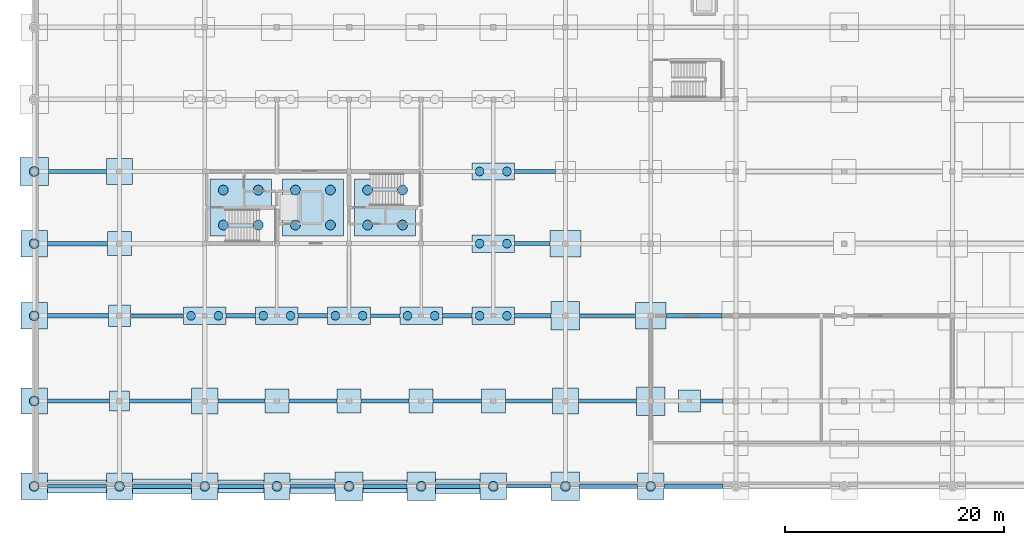
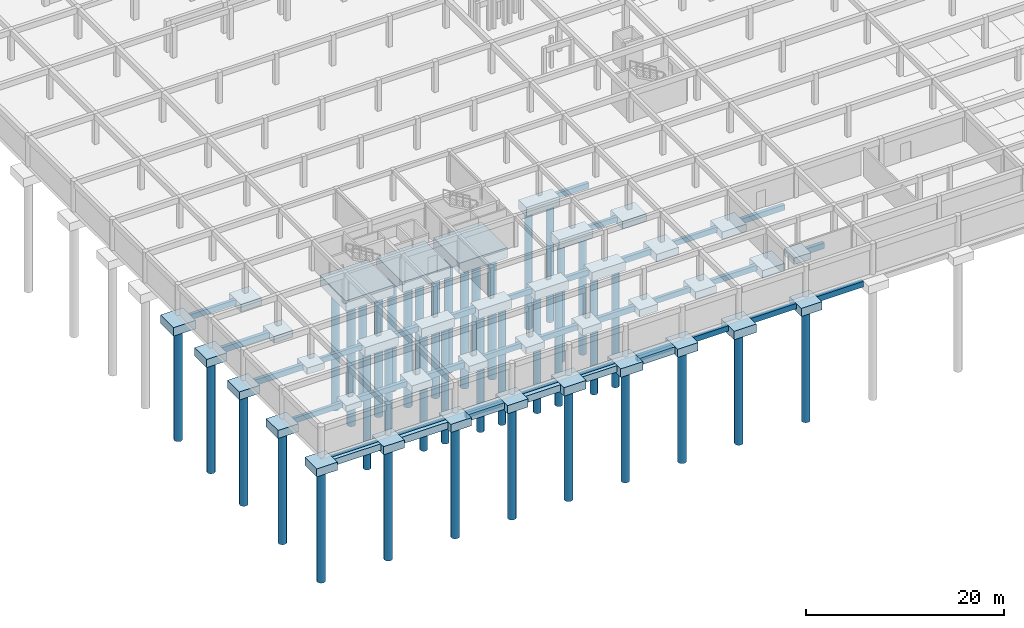
# One storey, part 1 of 37: 75 footings, 39 piles.
"""IFC4 building model written with IfcOpenShell, lengths in metres."""

import ifcopenshell
import ifcopenshell.guid

model = None  # the IFC model being written
_history = None  # IfcOwnerHistory: only IFC2X3 demands one
_inside = {}  # id of a spatial element -> (the spatial element, [elements in it])
_under = {}  # id of a project, library or spatial element -> (it, [spatial elements below it])
_declared = {}  # id of a project -> (the project, [libraries it declares])
_typed = {}  # id of a type object -> (the type object, [elements of that type])
_made_of = {}  # id of a material, layer set ... -> (it, [elements and type objects made of it])


def new_model(schema):
    """Start an empty IFC model of exactly this schema.

    Asked for "IFC4X3", IfcOpenShell would pick the latest addendum, in which some entities
    have other attributes; the version numbers below select the first issue.
    IFC2X3 requires an IfcOwnerHistory on every rooted entity: one is made here for all.
    """
    global model, _history
    if schema == "IFC4X3":
        model = ifcopenshell.file(schema_version=(4, 3, 0, 0))
    else:
        model = ifcopenshell.file(schema=schema)
    _inside.clear()
    _under.clear()
    _declared.clear()
    _typed.clear()
    _made_of.clear()
    _history = None
    if model.schema == "IFC2X3":
        org = make("IfcOrganization", Name="unknown")
        user = make(
            "IfcPersonAndOrganization",
            ThePerson=make("IfcPerson", FamilyName="unknown"),
            TheOrganization=org,
        )
        app = make(
            "IfcApplication",
            ApplicationDeveloper=org,
            Version="unknown",
            ApplicationFullName="unknown",
            ApplicationIdentifier="unknown",
        )
        _history = make(
            "IfcOwnerHistory",
            OwningUser=user,
            OwningApplication=app,
            ChangeAction="ADDED",
            CreationDate=0,
        )
    return model


def make(cls, **values):
    """One entity of the class cls with the attributes given. An attribute that is None is left unset."""
    return model.create_entity(
        cls, **{name: value for name, value in values.items() if value is not None}
    )


def rooted(cls, **values):
    """An entity with a GlobalId (a new one), such as an element, a storey or a relation."""
    return make(cls, GlobalId=ifcopenshell.guid.new(), OwnerHistory=_history, **values)


def si_unit(unit_type, name, prefix=None):
    """IfcSIUnit, for example si_unit("LENGTHUNIT", "METRE", prefix="MILLI")."""
    return make("IfcSIUnit", UnitType=unit_type, Prefix=prefix, Name=name)


def assignment(units):
    """IfcUnitAssignment: the units of a project."""
    return None if units is None else make("IfcUnitAssignment", Units=units)


def point(xyz):
    """IfcCartesianPoint."""
    return None if xyz is None else make("IfcCartesianPoint", Coordinates=xyz)


def direction(xyz):
    """IfcDirection."""
    return None if xyz is None else make("IfcDirection", DirectionRatios=xyz)


def frame(location, z_axis=None, x_axis=None):
    """IfcAxis2Placement3D, a coordinate frame: its origin and axes. An axis left out is left unset."""
    return make(
        "IfcAxis2Placement3D",
        Location=point(location),
        Axis=direction(z_axis),
        RefDirection=direction(x_axis),
    )


def frame_2d(location, x_axis=None):
    """IfcAxis2Placement2D, a coordinate frame in the plane: its origin and x axis."""
    return make(
        "IfcAxis2Placement2D", Location=point(location), RefDirection=direction(x_axis)
    )


def origin():
    """The frame at (0, 0, 0) with its axes left unset."""
    return frame((0.0, 0.0, 0.0))


def origin_2d():
    """The frame at (0, 0) in the plane with its x axis left unset."""
    return frame_2d((0.0, 0.0))


def place(relative_to, where):
    """IfcLocalPlacement: puts the frame where relative to a parent placement (None: the world)."""
    return make(
        "IfcLocalPlacement", PlacementRelTo=relative_to, RelativePlacement=where
    )


def context(
    kind, dimensions, precision=None, world=None, true_north=None, identifier=None
):
    """IfcGeometricRepresentationContext, for example the 3D "Model" context."""
    return make(
        "IfcGeometricRepresentationContext",
        ContextIdentifier=identifier,
        ContextType=kind,
        CoordinateSpaceDimension=dimensions,
        Precision=precision,
        WorldCoordinateSystem=world,
        TrueNorth=true_north,
    )


def subcontext(parent, identifier, kind, view, scale=None):
    """IfcGeometricRepresentationSubContext, for example "Body" below "Model"."""
    return make(
        "IfcGeometricRepresentationSubContext",
        ContextIdentifier=identifier,
        ContextType=kind,
        ParentContext=parent,
        TargetScale=scale,
        TargetView=view,
    )


def project(units=None, contexts=None):
    """IfcProject with its units and contexts."""
    return rooted(
        "IfcProject",
        Name="project",
        RepresentationContexts=contexts,
        UnitsInContext=assignment(units),
    )


def spatial(cls, under=None, at=None, **own):
    """A site, building, storey or space (cls), placed at a placement, below another one or the project."""
    s = rooted(cls, ObjectPlacement=at, **own)
    if under is not None:
        _under.setdefault(under.id(), (under, []))[1].append(s)
    return s


def profile(cls, at=None, kind="AREA", **sizes):
    """A parametric profile (cls). Its sizes go by their IFC names, for example OverallWidth=200.0."""
    return make(cls, ProfileType=kind, Position=at, **sizes)


def rectangle(**sizes):
    """IfcRectangleProfileDef."""
    return profile("IfcRectangleProfileDef", **sizes)


def circle(**sizes):
    """IfcCircleProfileDef."""
    return profile("IfcCircleProfileDef", **sizes)


def extrude(swept, where, along, depth):
    """IfcExtrudedAreaSolid: the profile swept, set in the frame where, extruded along a direction by depth."""
    return make(
        "IfcExtrudedAreaSolid",
        SweptArea=swept,
        Position=where,
        ExtrudedDirection=direction(along),
        Depth=depth,
    )


def shape(context_of_items, identifier, shape_type, items):
    """IfcShapeRepresentation: the items that make up one representation, for example the "Body"."""
    return make(
        "IfcShapeRepresentation",
        ContextOfItems=context_of_items,
        RepresentationIdentifier=identifier,
        RepresentationType=shape_type,
        Items=items,
    )


def material(Name=None, Category=None):
    """IfcMaterial."""
    return make("IfcMaterial", Name=Name, Category=Category)


def material_profile(
    of_material, cross_section, Name=None, Category=None, Priority=None
):
    """IfcMaterialProfile: a cross section and its material."""
    return make(
        "IfcMaterialProfile",
        Name=Name,
        Material=of_material,
        Profile=cross_section,
        Priority=Priority,
        Category=Category,
    )


def profile_set(profiles, Name=None, composite=None):
    """IfcMaterialProfileSet."""
    return make(
        "IfcMaterialProfileSet",
        Name=Name,
        MaterialProfiles=profiles,
        CompositeProfile=composite,
    )


def made_of(thing, what):
    """Note that an element or type object is made of a material, layer set ...; save() writes the relation."""
    if what is not None:
        _made_of.setdefault(what.id(), (what, []))[1].append(thing)
    return thing


def type_object(cls, material=None, **own):
    """A type object (cls), such as IfcWallType, which elements share."""
    return made_of(rooted(cls, **own), material)


def element(
    cls,
    number,
    at=None,
    inside=None,
    cuts=None,
    type_object=None,
    material=None,
    context=None,
    identifier="Body",
    shape_type=None,
    held_by="IfcProductDefinitionShape",
    body=None,
    shapes=None,
    **own,
):
    """One element of the class cls, such as IfcWall. Its Tag is "e" and its number.

    at: its placement. inside: the storey or other place that contains it. cuts: it is an
    opening in that element (IfcRelVoidsElement). A single representation is given by context,
    identifier, shape_type and body (its items); several are given by shapes. held_by: the class
    of the entity that holds the representations. save() writes the other relations.
    """
    e = rooted(cls, Tag="e%d" % number, ObjectPlacement=at, **own)
    if body is not None:
        shapes = [shape(context, identifier, shape_type, body)]
    if shapes is not None:
        e.Representation = make(held_by, Representations=shapes)
    if inside is not None:
        _inside.setdefault(inside.id(), (inside, []))[1].append(e)
    if cuts is not None:
        rooted(
            "IfcRelVoidsElement", RelatingBuildingElement=cuts, RelatedOpeningElement=e
        )
    if type_object is not None:
        _typed.setdefault(type_object.id(), (type_object, []))[1].append(e)
    return made_of(e, material)


def aggregate(whole, parts):
    """IfcRelAggregates: a whole, such as a stair, and the parts it consists of."""
    return rooted("IfcRelAggregates", RelatingObject=whole, RelatedObjects=parts)


def save(model, path):
    """Write the relations noted so far, then the file.

    IfcRelAggregates (storeys below a building ...), IfcRelContainedInSpatialStructure (elements
    in a storey), IfcRelDefinesByType, IfcRelAssociatesMaterial and IfcRelDeclares: one each for
    every whole, place, type object, material and project.
    """
    for whole, parts in _under.values():
        aggregate(whole, parts)
    for where, things in _inside.values():
        rooted(
            "IfcRelContainedInSpatialStructure",
            RelatedElements=things,
            RelatingStructure=where,
        )
    for kind, things in _typed.values():
        rooted("IfcRelDefinesByType", RelatedObjects=things, RelatingType=kind)
    for what, things in _made_of.values():
        rooted("IfcRelAssociatesMaterial", RelatedObjects=things, RelatingMaterial=what)
    for by, libraries in _declared.values():
        rooted("IfcRelDeclares", RelatingContext=by, RelatedDefinitions=libraries)
    model.write(path)


model = new_model("IFC4")

# Units and contexts
model_context = context("Model", 3, precision=1e-05, world=origin(), true_north=direction((0.0, 1.0)))
body_context = subcontext(model_context, "Body", "Model", "MODEL_VIEW")
ifc_project = project(units=[si_unit("LENGTHUNIT", "METRE"), si_unit("AREAUNIT", "SQUARE_METRE"), si_unit("VOLUMEUNIT", "CUBIC_METRE"), si_unit("PLANEANGLEUNIT", "RADIAN"), si_unit("MASSUNIT", "GRAM", prefix="KILO")], contexts=[model_context])

# Site, building, storey
site_placement = place(None, origin())
site = spatial("IfcSite", under=ifc_project, at=site_placement, CompositionType="ELEMENT")
building_placement = place(site_placement, origin())
building = spatial("IfcBuilding", under=site, at=building_placement, Name="Kernevlak Ridge Housing Community", CompositionType="ELEMENT")
storey_placement = place(building_placement, frame((0.0, 0.0, -3.800048828125)))
storey = spatial("IfcBuildingStorey", under=building, at=storey_placement, Name="B1", CompositionType="ELEMENT", Elevation=-3.800048828125)

# Piles
ifc_material = material(Name="Concrete C35/45", Category="concrete")
ifc_material_profile_1 = material_profile(ifc_material, circle(Radius=0.39990234375, at=origin_2d()), Name="BORED PILE 800")
ifc_profile_set_1 = profile_set([ifc_material_profile_1], Name="Concrete C35/45")
pile_type_1 = type_object("IfcPileType", Name="BP-01", PredefinedType="BORED", material=ifc_profile_set_1)
for number, where, z_axis, x_axis, name in (
    (1, (14.35009765625, 15.60009765625, -1.449951171875), (0.0, 0.0, -1.0), (1.0, 0.0, 0.0), "Bored pile BP-01 PILE-0069"),
    (2, (16.85009765625, 15.60009765625, -1.449951171875), (0.0, 0.0, -1.0), (1.0, 0.0, 0.0), "Bored pile BP-01 PILE-0070"),
    (3, (20.949951171875, 15.60009765625, -1.449951171875), (0.0, 0.0, -1.0), (1.0, 0.0, 0.0), "Bored pile BP-01 PILE-0083"),
    (4, (23.449951171875, 15.60009765625, -1.449951171875), (0.0, 0.0, -1.0), (1.0, 0.0, 0.0), "Bored pile BP-01 PILE-0084"),
    (5, (27.550048828125, 15.60009765625, -1.449951171875), (0.0, 0.0, -1.0), (1.0, 0.0, 0.0), "Bored pile BP-01 PILE-0097"),
    (6, (30.050048828125, 15.60009765625, -1.449951171875), (0.0, 0.0, -1.0), (1.0, 0.0, 0.0), "Bored pile BP-01 PILE-0098"),
    (7, (34.14990234375, 15.60009765625, -1.449951171875), (0.0, 0.0, -1.0), (1.0, 0.0, 0.0), "Bored pile BP-01 PILE-0111"),
    (8, (36.64990234375, 15.60009765625, -1.449951171875), (0.0, 0.0, -1.0), (1.0, 0.0, 0.0), "Bored pile BP-01 PILE-0112"),
    (9, (40.75, 15.60009765625, -1.449951171875), (0.0, 0.0, -1.0), (1.0, 0.0, 0.0), "Bored pile BP-01 PILE-0125"),
    (10, (43.25, 15.60009765625, -1.449951171875), (0.0, 0.0, -1.0), (1.0, 0.0, 0.0), "Bored pile BP-01 PILE-0126"),
    (11, (40.75, 22.199951171875, -1.449951171875), (0.0, 0.0, -1.0), (1.0, 0.0, 0.0), "Bored pile BP-01 PILE-0127"),
    (12, (43.25, 22.199951171875, -1.449951171875), (0.0, 0.0, -1.0), (1.0, 0.0, 0.0), "Bored pile BP-01 PILE-0128"),
    (13, (40.75, 28.800048828125, -1.449951171875), (0.0, 0.0, -1.0), (1.0, 0.0, 0.0), "Bored pile BP-01 PILE-0129"),
    (14, (43.25, 28.800048828125, -1.449951171875), (0.0, 0.0, -1.0), (1.0, 0.0, 0.0), "Bored pile BP-01 PILE-0130"),
):
    element("IfcPile", number, at=place(storey_placement, frame(where, z_axis=z_axis, x_axis=x_axis)), inside=storey, type_object=pile_type_1, Name=name, PredefinedType="BORED", context=body_context, shape_type="SweptSolid", body=[
        extrude(circle(Radius=0.39990234375, at=origin_2d()), origin(), (0.0, 0.0, 1.0), 14.5),
    ])
ifc_material_profile_2 = material_profile(ifc_material, circle(Radius=0.449951171875, at=origin_2d()), Name="BORED PILE 900")
ifc_profile_set_2 = profile_set([ifc_material_profile_2], Name="Concrete C35/45")
pile_type_2 = type_object("IfcPileType", Name="BP-02", PredefinedType="BORED", material=ifc_profile_set_2)
for number, where, z_axis, x_axis, name in (
    (15, (17.300048828125, 23.89990234375, -1.64990234375), (0.0, 0.0, -1.0), (1.0, 0.0, 0.0), "Bored pile BP-02 PILE-0037"),
    (16, (20.5, 23.89990234375, -1.64990234375), (0.0, 0.0, -1.0), (1.0, 0.0, 0.0), "Bored pile BP-02 PILE-0038"),
    (17, (17.300048828125, 27.10009765625, -1.64990234375), (0.0, 0.0, -1.0), (1.0, 0.0, 0.0), "Bored pile BP-02 PILE-0039"),
    (18, (20.5, 27.10009765625, -1.64990234375), (0.0, 0.0, -1.0), (1.0, 0.0, 0.0), "Bored pile BP-02 PILE-0040"),
    (19, (23.89990234375, 23.89990234375, -1.64990234375), (0.0, 0.0, -1.0), (1.0, 0.0, 0.0), "Bored pile BP-02 PILE-0041"),
    (20, (27.10009765625, 23.89990234375, -1.64990234375), (0.0, 0.0, -1.0), (1.0, 0.0, 0.0), "Bored pile BP-02 PILE-0042"),
    (21, (23.89990234375, 27.10009765625, -1.64990234375), (0.0, 0.0, -1.0), (1.0, 0.0, 0.0), "Bored pile BP-02 PILE-0043"),
    (22, (27.10009765625, 27.10009765625, -1.64990234375), (0.0, 0.0, -1.0), (1.0, 0.0, 0.0), "Bored pile BP-02 PILE-0044"),
    (23, (30.5, 23.89990234375, -1.64990234375), (0.0, 0.0, -1.0), (1.0, 0.0, 0.0), "Bored pile BP-02 PILE-0045"),
    (24, (33.699951171875, 23.89990234375, -1.64990234375), (0.0, 0.0, -1.0), (1.0, 0.0, 0.0), "Bored pile BP-02 PILE-0046"),
    (25, (30.5, 27.10009765625, -1.64990234375), (0.0, 0.0, -1.0), (1.0, 0.0, 0.0), "Bored pile BP-02 PILE-0047"),
    (26, (33.699951171875, 27.10009765625, -1.64990234375), (0.0, 0.0, -1.0), (1.0, 0.0, 0.0), "Bored pile BP-02 PILE-0048"),
):
    element("IfcPile", number, at=place(storey_placement, frame(where, z_axis=z_axis, x_axis=x_axis)), inside=storey, type_object=pile_type_2, Name=name, PredefinedType="BORED", context=body_context, shape_type="SweptSolid", body=[
        extrude(circle(Radius=0.449951171875, at=origin_2d()), origin(), (0.0, 0.0, 1.0), 15.0),
    ])
for number, where, z_axis, x_axis, name in (
    (27, (0.0, 0.0, -1.349853515625), (0.0, 0.0, -1.0), (1.0, 0.0, 0.0), "Bored pile BP-02 PILE-0049"),
    (28, (0.0, 7.800048828125, -1.349853515625), (0.0, 0.0, -1.0), (1.0, 0.0, 0.0), "Bored pile BP-02 PILE-0050"),
    (29, (0.0, 15.60009765625, -1.349853515625), (0.0, 0.0, -1.0), (1.0, 0.0, 0.0), "Bored pile BP-02 PILE-0051"),
    (30, (0.0, 22.199951171875, -1.349853515625), (0.0, 0.0, -1.0), (1.0, 0.0, 0.0), "Bored pile BP-02 PILE-0052"),
    (31, (0.0, 28.800048828125, -1.39990234375), (0.0, 0.0, -1.0), (1.0, 0.0, 0.0), "Bored pile BP-02 PILE-0053"),
    (32, (7.800048828125, 0.0, -1.349853515625), (0.0, 0.0, -1.0), (1.0, 0.0, 0.0), "Bored pile BP-02 PILE-0066"),
    (33, (15.60009765625, 0.0, -1.349853515625), (0.0, 0.0, -1.0), (1.0, 0.0, 0.0), "Bored pile BP-02 PILE-0068"),
    (34, (22.199951171875, 0.0, -1.349853515625), (0.0, 0.0, -1.0), (1.0, 0.0, 0.0), "Bored pile BP-02 PILE-0082"),
    (35, (28.800048828125, 0.0, -1.39990234375), (0.0, 0.0, -1.0), (1.0, 0.0, 0.0), "Bored pile BP-02 PILE-0096"),
    (36, (35.39990234375, 0.0, -1.39990234375), (0.0, 0.0, -1.0), (1.0, 0.0, 0.0), "Bored pile BP-02 PILE-0110"),
    (37, (42.0, 0.0, -1.349853515625), (0.0, 0.0, -1.0), (1.0, 0.0, 0.0), "Bored pile BP-02 PILE-0124"),
    (38, (48.60009765625, 0.0, -1.39990234375), (0.0, 0.0, -1.0), (1.0, 0.0, 0.0), "Bored pile BP-02 PILE-0150"),
    (39, (56.39990234375, 0.0, -1.349853515625), (0.0, 0.0, -1.0), (1.0, 0.0, 0.0), "Bored pile BP-02 PILE-0168"),
):
    element("IfcPile", number, at=place(storey_placement, frame(where, z_axis=z_axis, x_axis=x_axis)), inside=storey, type_object=pile_type_2, Name=name, PredefinedType="BORED", context=body_context, shape_type="SweptSolid", body=[
        extrude(circle(Radius=0.449951171875, at=origin_2d()), origin(), (0.0, 0.0, 1.0), 14.0),
    ])

# Footings
ifc_material_profile_3 = material_profile(ifc_material, rectangle(XDim=0.39990234375, YDim=0.699951171875, at=origin_2d()), Name="RC 400x700")
ifc_profile_set_3 = profile_set([ifc_material_profile_3], Name="Concrete C35/45")
footing_type_1 = type_object("IfcFootingType", Name="FB-01", PredefinedType="FOOTING_BEAM", material=ifc_profile_set_3)
footing_1_placement = place(storey_placement, frame((16.800048828125, 0.0, -0.800048828125), z_axis=(1.0, 0.0, 0.0), x_axis=(0.0, 1.0, 0.0)))
element("IfcFooting", 40, at=footing_1_placement, inside=storey, type_object=footing_type_1, Name="Ground tie beam FB-01 3", PredefinedType="FOOTING_BEAM", context=body_context, shape_type="SweptSolid", body=[
    extrude(rectangle(XDim=0.39990234375, YDim=0.699951171875, at=origin_2d()), origin(), (0.0, 0.0, 1.0), 4.199951171875),
])
footing_2_placement = place(storey_placement, frame((36.699951171875, 0.0, -0.800048828125), z_axis=(1.0, 0.0, 0.0), x_axis=(0.0, 1.0, 0.0)))
element("IfcFooting", 41, at=footing_2_placement, inside=storey, type_object=footing_type_1, Name="Ground tie beam FB-01 6", PredefinedType="FOOTING_BEAM", context=body_context, shape_type="SweptSolid", body=[
    extrude(rectangle(XDim=0.39990234375, YDim=0.699951171875, at=origin_2d()), origin(), (0.0, 0.0, 1.0), 4.10009765625),
])
footing_3_placement = place(storey_placement, frame((57.60009765625, 0.0, -0.800048828125), z_axis=(1.0, 0.0, 0.0), x_axis=(0.0, 1.0, 0.0)))
element("IfcFooting", 42, at=footing_3_placement, inside=storey, type_object=footing_type_1, Name="Ground tie beam FB-01 9", PredefinedType="FOOTING_BEAM", context=body_context, shape_type="SweptSolid", body=[
    extrude(rectangle(XDim=0.39990234375, YDim=0.699951171875, at=origin_2d()), origin(), (0.0, 0.0, 1.0), 5.39990234375),
])
footing_4_placement = place(storey_placement, frame((16.800048828125, 7.800048828125, -0.800048828125), z_axis=(1.0, 0.0, 0.0), x_axis=(0.0, 1.0, 0.0)))
element("IfcFooting", 43, at=footing_4_placement, inside=storey, type_object=footing_type_1, Name="Ground tie beam FB-01 24", PredefinedType="FOOTING_BEAM", context=body_context, shape_type="SweptSolid", body=[
    extrude(rectangle(XDim=0.39990234375, YDim=0.699951171875, at=origin_2d()), origin(), (0.0, 0.0, 1.0), 4.300048828125),
])
footing_5_placement = place(storey_placement, frame((36.5, 7.800048828125, -0.800048828125), z_axis=(1.0, 0.0, 0.0), x_axis=(0.0, 1.0, 0.0)))
element("IfcFooting", 44, at=footing_5_placement, inside=storey, type_object=footing_type_1, Name="Ground tie beam FB-01 27", PredefinedType="FOOTING_BEAM", context=body_context, shape_type="SweptSolid", body=[
    extrude(rectangle(XDim=0.39990234375, YDim=0.699951171875, at=origin_2d()), origin(), (0.0, 0.0, 1.0), 4.39990234375),
])
footing_6_placement = place(storey_placement, frame((60.949951171875, 7.800048828125, -0.800048828125), z_axis=(1.0, 0.0, 0.0), x_axis=(0.0, 1.0, 0.0)))
element("IfcFooting", 45, at=footing_6_placement, inside=storey, type_object=footing_type_1, Name="Ground tie beam FB-01 30", PredefinedType="FOOTING_BEAM", context=body_context, shape_type="SweptSolid", body=[
    extrude(rectangle(XDim=0.39990234375, YDim=0.699951171875, at=origin_2d()), origin(), (0.0, 0.0, 1.0), 2.050048828125),
])
footing_7_placement = place(storey_placement, frame((1.199951171875, 15.60009765625, -0.800048828125), z_axis=(1.0, 0.0, 0.0), x_axis=(0.0, 1.0, 0.0)))
element("IfcFooting", 46, at=footing_7_placement, inside=storey, type_object=footing_type_1, Name="Ground tie beam FB-01 42", PredefinedType="FOOTING_BEAM", context=body_context, shape_type="SweptSolid", body=[
    extrude(rectangle(XDim=0.39990234375, YDim=0.699951171875, at=origin_2d()), origin(), (0.0, 0.0, 1.0), 5.60009765625),
])
footing_8_placement = place(storey_placement, frame((24.14990234375, 15.60009765625, -0.800048828125), z_axis=(1.0, 0.0, 0.0), x_axis=(0.0, 1.0, 0.0)))
element("IfcFooting", 47, at=footing_8_placement, inside=storey, type_object=footing_type_1, Name="Ground tie beam FB-01 45", PredefinedType="FOOTING_BEAM", context=body_context, shape_type="SweptSolid", body=[
    extrude(rectangle(XDim=0.39990234375, YDim=0.699951171875, at=origin_2d()), origin(), (0.0, 0.0, 1.0), 2.7001953125),
])
footing_9_placement = place(storey_placement, frame((43.949951171875, 15.60009765625, -0.800048828125), z_axis=(1.0, 0.0, 0.0), x_axis=(0.0, 1.0, 0.0)))
element("IfcFooting", 48, at=footing_9_placement, inside=storey, type_object=footing_type_1, Name="Ground tie beam FB-01 48", PredefinedType="FOOTING_BEAM", context=body_context, shape_type="SweptSolid", body=[
    extrude(rectangle(XDim=0.39990234375, YDim=0.699951171875, at=origin_2d()), origin(), (0.0, 0.0, 1.0), 3.35009765625),
])
footing_10_placement = place(storey_placement, frame((1.199951171875, 22.199951171875, -0.800048828125), z_axis=(1.0, 0.0, 0.0), x_axis=(0.0, 1.0, 0.0)))
element("IfcFooting", 49, at=footing_10_placement, inside=storey, type_object=footing_type_1, Name="Ground tie beam FB-01 60", PredefinedType="FOOTING_BEAM", context=body_context, shape_type="SweptSolid", body=[
    extrude(rectangle(XDim=0.39990234375, YDim=0.699951171875, at=origin_2d()), origin(), (0.0, 0.0, 1.0), 5.5),
])
ifc_material_profile_4 = material_profile(ifc_material, rectangle(XDim=0.35009765625, YDim=0.64990234375, at=origin_2d()), Name="RC 350x650")
ifc_profile_set_4 = profile_set([ifc_material_profile_4], Name="Concrete C35/45")
footing_type_2 = type_object("IfcFootingType", Name="FB-02", PredefinedType="FOOTING_BEAM", material=ifc_profile_set_4)
footing_11_placement = place(storey_placement, frame((1.199951171875, 0.0, -0.77490234375), z_axis=(1.0, 0.0, 0.0), x_axis=(0.0, 1.0, 0.0)))
element("IfcFooting", 50, at=footing_11_placement, inside=storey, type_object=footing_type_2, Name="Ground tie beam FB-02 1", PredefinedType="FOOTING_BEAM", context=body_context, shape_type="SweptSolid", body=[
    extrude(rectangle(XDim=0.35009765625, YDim=0.64990234375, at=origin_2d()), origin(), (0.0, 0.0, 1.0), 5.400146484375),
])
for number, where, z_axis, x_axis, name in (
    (51, (23.39990234375, 0.0, -0.77490234375), (1.0, 0.0, 0.0), (0.0, 1.0, 0.0), "Ground tie beam FB-02 4"),
    (52, (43.199951171875, 0.0, -0.77490234375), (1.0, 0.0, 0.0), (0.0, 1.0, 0.0), "Ground tie beam FB-02 7"),
):
    element("IfcFooting", number, at=place(storey_placement, frame(where, z_axis=z_axis, x_axis=x_axis)), inside=storey, type_object=footing_type_2, Name=name, PredefinedType="FOOTING_BEAM", context=body_context, shape_type="SweptSolid", body=[
        extrude(rectangle(XDim=0.35009765625, YDim=0.64990234375, at=origin_2d()), origin(), (0.0, 0.0, 1.0), 4.10009765625),
    ])
footing_12_placement = place(storey_placement, frame((1.199951171875, 7.800048828125, -0.77490234375), z_axis=(1.0, 0.0, 0.0), x_axis=(0.0, 1.0, 0.0)))
element("IfcFooting", 53, at=footing_12_placement, inside=storey, type_object=footing_type_2, Name="Ground tie beam FB-02 22", PredefinedType="FOOTING_BEAM", context=body_context, shape_type="SweptSolid", body=[
    extrude(rectangle(XDim=0.35009765625, YDim=0.64990234375, at=origin_2d()), origin(), (0.0, 0.0, 1.0), 5.699951171875),
])
footing_13_placement = place(storey_placement, frame((23.300048828125, 7.800048828125, -0.77490234375), z_axis=(1.0, 0.0, 0.0), x_axis=(0.0, 1.0, 0.0)))
element("IfcFooting", 54, at=footing_13_placement, inside=storey, type_object=footing_type_2, Name="Ground tie beam FB-02 25", PredefinedType="FOOTING_BEAM", context=body_context, shape_type="SweptSolid", body=[
    extrude(rectangle(XDim=0.35009765625, YDim=0.64990234375, at=origin_2d()), origin(), (0.0, 0.0, 1.0), 4.39990234375),
])
footing_14_placement = place(storey_placement, frame((43.10009765625, 7.800048828125, -0.77490234375), z_axis=(1.0, 0.0, 0.0), x_axis=(0.0, 1.0, 0.0)))
element("IfcFooting", 55, at=footing_14_placement, inside=storey, type_object=footing_type_2, Name="Ground tie beam FB-02 28", PredefinedType="FOOTING_BEAM", context=body_context, shape_type="SweptSolid", body=[
    extrude(rectangle(XDim=0.35009765625, YDim=0.64990234375, at=origin_2d()), origin(), (0.0, 0.0, 1.0), 4.2998046875),
])
footing_15_placement = place(storey_placement, frame((8.800048828125, 15.60009765625, -0.77490234375), z_axis=(1.0, 0.0, 0.0), x_axis=(0.0, 1.0, 0.0)))
element("IfcFooting", 56, at=footing_15_placement, inside=storey, type_object=footing_type_2, Name="Ground tie beam FB-02 43", PredefinedType="FOOTING_BEAM", context=body_context, shape_type="SweptSolid", body=[
    extrude(rectangle(XDim=0.35009765625, YDim=0.64990234375, at=origin_2d()), origin(), (0.0, 0.0, 1.0), 4.849853515625),
])
footing_16_placement = place(storey_placement, frame((30.75, 15.60009765625, -0.77490234375), z_axis=(1.0, 0.0, 0.0), x_axis=(0.0, 1.0, 0.0)))
element("IfcFooting", 57, at=footing_16_placement, inside=storey, type_object=footing_type_2, Name="Ground tie beam FB-02 46", PredefinedType="FOOTING_BEAM", context=body_context, shape_type="SweptSolid", body=[
    extrude(rectangle(XDim=0.35009765625, YDim=0.64990234375, at=origin_2d()), origin(), (0.0, 0.0, 1.0), 2.699951171875),
])
footing_17_placement = place(storey_placement, frame((49.89990234375, 15.60009765625, -0.77490234375), z_axis=(1.0, 0.0, 0.0), x_axis=(0.0, 1.0, 0.0)))
element("IfcFooting", 58, at=footing_17_placement, inside=storey, type_object=footing_type_2, Name="Ground tie beam FB-02 49", PredefinedType="FOOTING_BEAM", context=body_context, shape_type="SweptSolid", body=[
    extrude(rectangle(XDim=0.35009765625, YDim=0.64990234375, at=origin_2d()), origin(), (0.0, 0.0, 1.0), 5.10009765625),
])
footing_18_placement = place(storey_placement, frame((43.949951171875, 22.199951171875, -0.77490234375), z_axis=(1.0, 0.0, 0.0), x_axis=(0.0, 1.0, 0.0)))
element("IfcFooting", 59, at=footing_18_placement, inside=storey, type_object=footing_type_2, Name="Ground tie beam FB-02 61", PredefinedType="FOOTING_BEAM", context=body_context, shape_type="SweptSolid", body=[
    extrude(rectangle(XDim=0.35009765625, YDim=0.64990234375, at=origin_2d()), origin(), (0.0, 0.0, 1.0), 3.25),
])
footing_19_placement = place(storey_placement, frame((1.300048828125, 28.800048828125, -0.77490234375), z_axis=(1.0, 0.0, 0.0), x_axis=(0.0, 1.0, 0.0)))
element("IfcFooting", 60, at=footing_19_placement, inside=storey, type_object=footing_type_2, Name="Ground tie beam FB-02 73", PredefinedType="FOOTING_BEAM", context=body_context, shape_type="SweptSolid", body=[
    extrude(rectangle(XDim=0.35009765625, YDim=0.64990234375, at=origin_2d()), origin(), (0.0, 0.0, 1.0), 5.300048828125),
])
ifc_material_profile_5 = material_profile(ifc_material, rectangle(XDim=0.39990234375, YDim=0.64990234375, at=origin_2d()), Name="RC 400x650")
ifc_profile_set_5 = profile_set([ifc_material_profile_5], Name="Concrete C35/45")
footing_type_3 = type_object("IfcFootingType", Name="FB-03", PredefinedType="FOOTING_BEAM", material=ifc_profile_set_5)
footing_20_placement = place(storey_placement, frame((9.0, 0.0, -0.77490234375), z_axis=(1.0, 0.0, 0.0), x_axis=(0.0, 1.0, 0.0)))
element("IfcFooting", 61, at=footing_20_placement, inside=storey, type_object=footing_type_3, Name="Ground tie beam FB-03 2", PredefinedType="FOOTING_BEAM", context=body_context, shape_type="SweptSolid", body=[
    extrude(rectangle(XDim=0.39990234375, YDim=0.64990234375, at=origin_2d()), origin(), (0.0, 0.0, 1.0), 5.39990234375),
])
footing_21_placement = place(storey_placement, frame((30.10009765625, 0.0, -0.77490234375), z_axis=(1.0, 0.0, 0.0), x_axis=(0.0, 1.0, 0.0)))
element("IfcFooting", 62, at=footing_21_placement, inside=storey, type_object=footing_type_3, Name="Ground tie beam FB-03 5", PredefinedType="FOOTING_BEAM", context=body_context, shape_type="SweptSolid", body=[
    extrude(rectangle(XDim=0.39990234375, YDim=0.64990234375, at=origin_2d()), origin(), (0.0, 0.0, 1.0), 4.0),
])
footing_22_placement = place(storey_placement, frame((49.89990234375, 0.0, -0.77490234375), z_axis=(1.0, 0.0, 0.0), x_axis=(0.0, 1.0, 0.0)))
element("IfcFooting", 63, at=footing_22_placement, inside=storey, type_object=footing_type_3, Name="Ground tie beam FB-03 8", PredefinedType="FOOTING_BEAM", context=body_context, shape_type="SweptSolid", body=[
    extrude(rectangle(XDim=0.39990234375, YDim=0.64990234375, at=origin_2d()), origin(), (0.0, 0.0, 1.0), 5.300048828125),
])
footing_23_placement = place(storey_placement, frame((8.699951171875, 7.800048828125, -0.77490234375), z_axis=(1.0, 0.0, 0.0), x_axis=(0.0, 1.0, 0.0)))
element("IfcFooting", 64, at=footing_23_placement, inside=storey, type_object=footing_type_3, Name="Ground tie beam FB-03 23", PredefinedType="FOOTING_BEAM", context=body_context, shape_type="SweptSolid", body=[
    extrude(rectangle(XDim=0.39990234375, YDim=0.64990234375, at=origin_2d()), origin(), (0.0, 0.0, 1.0), 5.699951171875),
])
footing_24_placement = place(storey_placement, frame((29.89990234375, 7.800048828125, -0.77490234375), z_axis=(1.0, 0.0, 0.0), x_axis=(0.0, 1.0, 0.0)))
element("IfcFooting", 65, at=footing_24_placement, inside=storey, type_object=footing_type_3, Name="Ground tie beam FB-03 26", PredefinedType="FOOTING_BEAM", context=body_context, shape_type="SweptSolid", body=[
    extrude(rectangle(XDim=0.39990234375, YDim=0.64990234375, at=origin_2d()), origin(), (0.0, 0.0, 1.0), 4.400146484375),
])
footing_25_placement = place(storey_placement, frame((49.800048828125, 7.800048828125, -0.77490234375), z_axis=(1.0, 0.0, 0.0), x_axis=(0.0, 1.0, 0.0)))
element("IfcFooting", 66, at=footing_25_placement, inside=storey, type_object=footing_type_3, Name="Ground tie beam FB-03 29", PredefinedType="FOOTING_BEAM", context=body_context, shape_type="SweptSolid", body=[
    extrude(rectangle(XDim=0.39990234375, YDim=0.64990234375, at=origin_2d()), origin(), (0.0, 0.0, 1.0), 5.300048828125),
])
for number, where, z_axis, x_axis, name in (
    (67, (17.550048828125, 15.60009765625, -0.77490234375), (1.0, 0.0, 0.0), (0.0, 1.0, 0.0), "Ground tie beam FB-03 44"),
    (68, (37.35009765625, 15.60009765625, -0.77490234375), (1.0, 0.0, 0.0), (0.0, 1.0, 0.0), "Ground tie beam FB-03 47"),
):
    element("IfcFooting", number, at=place(storey_placement, frame(where, z_axis=z_axis, x_axis=x_axis)), inside=storey, type_object=footing_type_3, Name=name, PredefinedType="FOOTING_BEAM", context=body_context, shape_type="SweptSolid", body=[
        extrude(rectangle(XDim=0.39990234375, YDim=0.64990234375, at=origin_2d()), origin(), (0.0, 0.0, 1.0), 2.699951171875),
    ])
footing_26_placement = place(storey_placement, frame((57.800048828125, 15.60009765625, -0.77490234375), z_axis=(1.0, 0.0, 0.0), x_axis=(0.0, 1.0, 0.0)))
element("IfcFooting", 69, at=footing_26_placement, inside=storey, type_object=footing_type_3, Name="Ground tie beam FB-03 50", PredefinedType="FOOTING_BEAM", context=body_context, shape_type="SweptSolid", body=[
    extrude(rectangle(XDim=0.39990234375, YDim=0.64990234375, at=origin_2d()), origin(), (0.0, 0.0, 1.0), 5.099853515625),
])
footing_27_placement = place(storey_placement, frame((43.949951171875, 28.800048828125, -0.77490234375), z_axis=(1.0, 0.0, 0.0), x_axis=(0.0, 1.0, 0.0)))
element("IfcFooting", 70, at=footing_27_placement, inside=storey, type_object=footing_type_3, Name="Ground tie beam FB-03 74", PredefinedType="FOOTING_BEAM", context=body_context, shape_type="SweptSolid", body=[
    extrude(rectangle(XDim=0.39990234375, YDim=0.64990234375, at=origin_2d()), origin(), (0.0, 0.0, 1.0), 3.75),
])
footing_type_4 = type_object("IfcFootingType", Name="FC-01", PredefinedType="PILE_CAP", material=ifc_material)
for number, where, z_axis, x_axis, name in (
    (71, (0.0, 0.0, -1.449951171875), (0.0, 0.0, 1.0), (1.0, 0.0, 0.0), "Footing FC-01 FTG-CAP-013"),
    (72, (0.0, 7.800048828125, -1.449951171875), (0.0, 0.0, 1.0), (1.0, 0.0, 0.0), "Footing FC-01 FTG-CAP-014"),
    (73, (0.0, 15.60009765625, -1.449951171875), (0.0, 0.0, 1.0), (1.0, 0.0, 0.0), "Footing FC-01 FTG-CAP-015"),
    (74, (0.0, 22.199951171875, -1.449951171875), (0.0, 0.0, 1.0), (1.0, 0.0, 0.0), "Footing FC-01 FTG-CAP-016"),
    (75, (7.800048828125, 0.0, -1.449951171875), (0.0, 0.0, 1.0), (1.0, 0.0, 0.0), "Footing FC-01 FTG-CAP-030"),
    (76, (15.60009765625, 0.0, -1.449951171875), (0.0, 0.0, 1.0), (1.0, 0.0, 0.0), "Footing FC-01 FTG-CAP-047"),
    (77, (22.199951171875, 0.0, -1.449951171875), (0.0, 0.0, 1.0), (1.0, 0.0, 0.0), "Footing FC-01 FTG-CAP-060"),
    (78, (42.0, 0.0, -1.449951171875), (0.0, 0.0, 1.0), (1.0, 0.0, 0.0), "Footing FC-01 FTG-CAP-099"),
    (79, (56.39990234375, 0.0, -1.449951171875), (0.0, 0.0, 1.0), (1.0, 0.0, 0.0), "Footing FC-01 FTG-CAP-138"),
):
    element("IfcFooting", number, at=place(storey_placement, frame(where, z_axis=z_axis, x_axis=x_axis)), inside=storey, type_object=footing_type_4, Name=name, PredefinedType="PILE_CAP", context=body_context, shape_type="SweptSolid", body=[
        extrude(rectangle(XDim=2.39990234375, YDim=2.39990234375, at=origin_2d()), origin(), (0.0, 0.0, 1.0), 1.0),
    ])
footing_type_5 = type_object("IfcFootingType", Name="FC-02", PredefinedType="PILE_CAP", material=ifc_material)
for number, where, z_axis, x_axis, name in (
    (80, (15.60009765625, 15.60009765625, -1.550048828125), (0.0, 0.0, 1.0), (1.0, 0.0, 0.0), "Footing FC-02 FTG-CAP-049"),
    (81, (22.199951171875, 15.60009765625, -1.550048828125), (0.0, 0.0, 1.0), (1.0, 0.0, 0.0), "Footing FC-02 FTG-CAP-062"),
    (82, (28.800048828125, 15.60009765625, -1.550048828125), (0.0, 0.0, 1.0), (1.0, 0.0, 0.0), "Footing FC-02 FTG-CAP-075"),
    (83, (35.39990234375, 15.60009765625, -1.550048828125), (0.0, 0.0, 1.0), (1.0, 0.0, 0.0), "Footing FC-02 FTG-CAP-088"),
    (84, (42.0, 15.60009765625, -1.550048828125), (0.0, 0.0, 1.0), (1.0, 0.0, 0.0), "Footing FC-02 FTG-CAP-101"),
    (85, (42.0, 22.199951171875, -1.550048828125), (0.0, 0.0, 1.0), (1.0, 0.0, 0.0), "Footing FC-02 FTG-CAP-102"),
    (86, (42.0, 28.800048828125, -1.550048828125), (0.0, 0.0, 1.0), (1.0, 0.0, 0.0), "Footing FC-02 FTG-CAP-103"),
):
    element("IfcFooting", number, at=place(storey_placement, frame(where, z_axis=z_axis, x_axis=x_axis)), inside=storey, type_object=footing_type_5, Name=name, PredefinedType="PILE_CAP", context=body_context, shape_type="SweptSolid", body=[
        extrude(rectangle(XDim=3.89990234375, YDim=1.60009765625, at=origin_2d()), origin(), (0.0, 0.0, 1.0), 1.10009765625),
    ])
footing_type_6 = type_object("IfcFootingType", Name="FC-05", PredefinedType="PILE_CAP", material=ifc_material)
for number, where, z_axis, x_axis, name in (
    (87, (18.89990234375, 25.5, -1.75), (0.0, 0.0, 1.0), (1.0, 0.0, 0.0), "Footing FC-05 FTG-CAP-010"),
    (88, (25.5, 25.5, -1.75), (0.0, 0.0, 1.0), (1.0, 0.0, 0.0), "Footing FC-05 FTG-CAP-011"),
    (89, (32.10009765625, 25.5, -1.75), (0.0, 0.0, 1.0), (1.0, 0.0, 0.0), "Footing FC-05 FTG-CAP-012"),
):
    element("IfcFooting", number, at=place(storey_placement, frame(where, z_axis=z_axis, x_axis=x_axis)), inside=storey, type_object=footing_type_6, Name=name, PredefinedType="PILE_CAP", context=body_context, shape_type="SweptSolid", body=[
        extrude(rectangle(XDim=5.60009765625, YDim=5.199951171875, at=origin_2d()), origin(), (0.0, 0.0, 1.0), 1.300048828125),
    ])
footing_type_7 = type_object("IfcFootingType", Name="FC-08", PredefinedType="PILE_CAP", material=ifc_material)
for number, where, z_axis, x_axis, name in (
    (90, (0.0, 28.800048828125, -1.5), (0.0, 0.0, 1.0), (1.0, 0.0, 0.0), "Footing FC-08 FTG-CAP-017"),
    (91, (28.800048828125, 0.0, -1.5), (0.0, 0.0, 1.0), (1.0, 0.0, 0.0), "Footing FC-08 FTG-CAP-073"),
    (92, (35.39990234375, 0.0, -1.5), (0.0, 0.0, 1.0), (1.0, 0.0, 0.0), "Footing FC-08 FTG-CAP-086"),
    (93, (48.60009765625, 0.0, -1.5), (0.0, 0.0, 1.0), (1.0, 0.0, 0.0), "Footing FC-08 FTG-CAP-116"),
):
    element("IfcFooting", number, at=place(storey_placement, frame(where, z_axis=z_axis, x_axis=x_axis)), inside=storey, type_object=footing_type_7, Name=name, PredefinedType="PILE_CAP", context=body_context, shape_type="SweptSolid", body=[
        extrude(rectangle(XDim=2.60009765625, YDim=2.60009765625, at=origin_2d()), origin(), (0.0, 0.0, 1.0), 1.050048828125),
    ])
footing_type_8 = type_object("IfcFootingType", Name="PF-01", PredefinedType="PAD_FOOTING", material=ifc_material)
footing_28_placement = place(storey_placement, frame((7.800048828125, 7.800048828125, -1.199951171875), z_axis=(0.0, 0.0, 1.0), x_axis=(1.0, 0.0, 0.0)))
element("IfcFooting", 94, at=footing_28_placement, inside=storey, type_object=footing_type_8, Name="Footing PF-01 FTG-CAP-031", PredefinedType="PAD_FOOTING", context=body_context, shape_type="SweptSolid", body=[
    extrude(rectangle(XDim=1.800048828125, YDim=1.800048828125, at=origin_2d()), origin(), (0.0, 0.0, 1.0), 0.75),
])
footing_type_9 = type_object("IfcFootingType", Name="PF-02", PredefinedType="PAD_FOOTING", material=ifc_material)
for number, where, z_axis, x_axis, name in (
    (95, (7.800048828125, 15.60009765625, -1.25), (0.0, 0.0, 1.0), (1.0, 0.0, 0.0), "Footing PF-02 FTG-CAP-032"),
    (96, (59.949951171875, 7.800048828125, -1.25), (0.0, 0.0, 1.0), (1.0, 0.0, 0.0), "Footing PF-02 FTG-CAP-155"),
):
    element("IfcFooting", number, at=place(storey_placement, frame(where, z_axis=z_axis, x_axis=x_axis)), inside=storey, type_object=footing_type_9, Name=name, PredefinedType="PAD_FOOTING", context=body_context, shape_type="SweptSolid", body=[
        extrude(rectangle(XDim=2.0, YDim=2.0, at=origin_2d()), origin(), (0.0, 0.0, 1.0), 0.800048828125),
    ])
footing_type_10 = type_object("IfcFootingType", Name="PF-03", PredefinedType="PAD_FOOTING", material=ifc_material)
for number, where, z_axis, x_axis, name in (
    (97, (7.800048828125, 22.199951171875, -1.300048828125), (0.0, 0.0, 1.0), (1.0, 0.0, 0.0), "Footing PF-03 FTG-CAP-033"),
    (98, (22.199951171875, 7.800048828125, -1.300048828125), (0.0, 0.0, 1.0), (1.0, 0.0, 0.0), "Footing PF-03 FTG-CAP-061"),
    (99, (28.800048828125, 7.800048828125, -1.300048828125), (0.0, 0.0, 1.0), (1.0, 0.0, 0.0), "Footing PF-03 FTG-CAP-074"),
    (100, (35.39990234375, 7.800048828125, -1.300048828125), (0.0, 0.0, 1.0), (1.0, 0.0, 0.0), "Footing PF-03 FTG-CAP-087"),
    (101, (42.0, 7.800048828125, -1.300048828125), (0.0, 0.0, 1.0), (1.0, 0.0, 0.0), "Footing PF-03 FTG-CAP-100"),
):
    element("IfcFooting", number, at=place(storey_placement, frame(where, z_axis=z_axis, x_axis=x_axis)), inside=storey, type_object=footing_type_10, Name=name, PredefinedType="PAD_FOOTING", context=body_context, shape_type="SweptSolid", body=[
        extrude(rectangle(XDim=2.199951171875, YDim=2.199951171875, at=origin_2d()), origin(), (0.0, 0.0, 1.0), 0.85009765625),
    ])
footing_type_11 = type_object("IfcFootingType", Name="PF-04", PredefinedType="PAD_FOOTING", material=ifc_material)
for number, where, z_axis, x_axis, name in (
    (102, (7.800048828125, 28.800048828125, -1.349853515625), (0.0, 0.0, 1.0), (1.0, 0.0, 0.0), "Footing PF-04 FTG-CAP-034"),
    (103, (15.60009765625, 7.800048828125, -1.349853515625), (0.0, 0.0, 1.0), (1.0, 0.0, 0.0), "Footing PF-04 FTG-CAP-048"),
    (104, (48.60009765625, 7.800048828125, -1.349853515625), (0.0, 0.0, 1.0), (1.0, 0.0, 0.0), "Footing PF-04 FTG-CAP-117"),
):
    element("IfcFooting", number, at=place(storey_placement, frame(where, z_axis=z_axis, x_axis=x_axis)), inside=storey, type_object=footing_type_11, Name=name, PredefinedType="PAD_FOOTING", context=body_context, shape_type="SweptSolid", body=[
        extrude(rectangle(XDim=2.39990234375, YDim=2.39990234375, at=origin_2d()), origin(), (0.0, 0.0, 1.0), 0.89990234375),
    ])
footing_type_12 = type_object("IfcFootingType", Name="PF-05", PredefinedType="PAD_FOOTING", material=ifc_material)
for number, where, z_axis, x_axis, name in (
    (105, (48.60009765625, 15.60009765625, -1.39990234375), (0.0, 0.0, 1.0), (1.0, 0.0, 0.0), "Footing PF-05 FTG-CAP-118"),
    (106, (56.39990234375, 7.800048828125, -1.39990234375), (0.0, 0.0, 1.0), (1.0, 0.0, 0.0), "Footing PF-05 FTG-CAP-139"),
):
    element("IfcFooting", number, at=place(storey_placement, frame(where, z_axis=z_axis, x_axis=x_axis)), inside=storey, type_object=footing_type_12, Name=name, PredefinedType="PAD_FOOTING", context=body_context, shape_type="SweptSolid", body=[
        extrude(rectangle(XDim=2.60009765625, YDim=2.60009765625, at=origin_2d()), origin(), (0.0, 0.0, 1.0), 0.949951171875),
    ])
footing_type_13 = type_object("IfcFootingType", Name="PF-06", PredefinedType="PAD_FOOTING", material=ifc_material)
for number, where, z_axis, x_axis, name in (
    (107, (48.60009765625, 22.199951171875, -1.349853515625), (0.0, 0.0, 1.0), (1.0, 0.0, 0.0), "Footing PF-06 FTG-CAP-119"),
    (108, (56.39990234375, 15.60009765625, -1.349853515625), (0.0, 0.0, 1.0), (1.0, 0.0, 0.0), "Footing PF-06 FTG-CAP-140"),
):
    element("IfcFooting", number, at=place(storey_placement, frame(where, z_axis=z_axis, x_axis=x_axis)), inside=storey, type_object=footing_type_13, Name=name, PredefinedType="PAD_FOOTING", context=body_context, shape_type="SweptSolid", body=[
        extrude(rectangle(XDim=2.800048828125, YDim=2.39990234375, at=origin_2d()), origin(), (0.0, 0.0, 1.0), 0.89990234375),
    ])
footing_type_14 = type_object("IfcFootingType", Name="WF-01", PredefinedType="STRIP_FOOTING", material=ifc_material)
footing_29_placement = place(storey_placement, frame((3.89990234375, 0.0, -1.25), z_axis=(0.0, 0.0, 1.0), x_axis=(1.0, 0.0, 0.0)))
element("IfcFooting", 109, at=footing_29_placement, inside=storey, type_object=footing_type_14, Name="Wall strip footing WF-01 1", PredefinedType="STRIP_FOOTING", context=body_context, shape_type="SweptSolid", body=[
    extrude(rectangle(XDim=5.39990234375, YDim=1.199951171875, at=origin_2d()), origin(), (0.0, 0.0, 1.0), 0.800048828125),
])
footing_30_placement = place(storey_placement, frame((18.89990234375, 0.0, -1.25), z_axis=(0.0, 0.0, 1.0), x_axis=(1.0, 0.0, 0.0)))
element("IfcFooting", 110, at=footing_30_placement, inside=storey, type_object=footing_type_14, Name="Wall strip footing WF-01 3", PredefinedType="STRIP_FOOTING", context=body_context, shape_type="SweptSolid", body=[
    extrude(rectangle(XDim=4.199951171875, YDim=1.199951171875, at=origin_2d()), origin(), (0.0, 0.0, 1.0), 0.800048828125),
])
footing_31_placement = place(storey_placement, frame((32.10009765625, 0.0, -1.25), z_axis=(0.0, 0.0, 1.0), x_axis=(1.0, 0.0, 0.0)))
element("IfcFooting", 111, at=footing_31_placement, inside=storey, type_object=footing_type_14, Name="Wall strip footing WF-01 5", PredefinedType="STRIP_FOOTING", context=body_context, shape_type="SweptSolid", body=[
    extrude(rectangle(XDim=4.0, YDim=1.199951171875, at=origin_2d()), origin(), (0.0, 0.0, 1.0), 0.800048828125),
])
footing_type_15 = type_object("IfcFootingType", Name="WF-03", PredefinedType="STRIP_FOOTING", material=ifc_material)
footing_32_placement = place(storey_placement, frame((11.699951171875, 0.0, -1.300048828125), z_axis=(0.0, 0.0, 1.0), x_axis=(1.0, 0.0, 0.0)))
element("IfcFooting", 112, at=footing_32_placement, inside=storey, type_object=footing_type_15, Name="Wall strip footing WF-03 2", PredefinedType="STRIP_FOOTING", context=body_context, shape_type="SweptSolid", body=[
    extrude(rectangle(XDim=5.39990234375, YDim=1.35009765625, at=origin_2d()), origin(), (0.0, 0.0, 1.0), 0.85009765625),
])
for number, where, z_axis, x_axis, name in (
    (113, (25.449951171875, 0.0, -1.300048828125), (0.0, 0.0, 1.0), (1.0, 0.0, 0.0), "Wall strip footing WF-03 4"),
    (114, (38.75, 0.0, -1.300048828125), (0.0, 0.0, 1.0), (1.0, 0.0, 0.0), "Wall strip footing WF-03 6"),
):
    element("IfcFooting", number, at=place(storey_placement, frame(where, z_axis=z_axis, x_axis=x_axis)), inside=storey, type_object=footing_type_15, Name=name, PredefinedType="STRIP_FOOTING", context=body_context, shape_type="SweptSolid", body=[
        extrude(rectangle(XDim=4.10009765625, YDim=1.35009765625, at=origin_2d()), origin(), (0.0, 0.0, 1.0), 0.85009765625),
    ])

save(model, "model.ifc")
